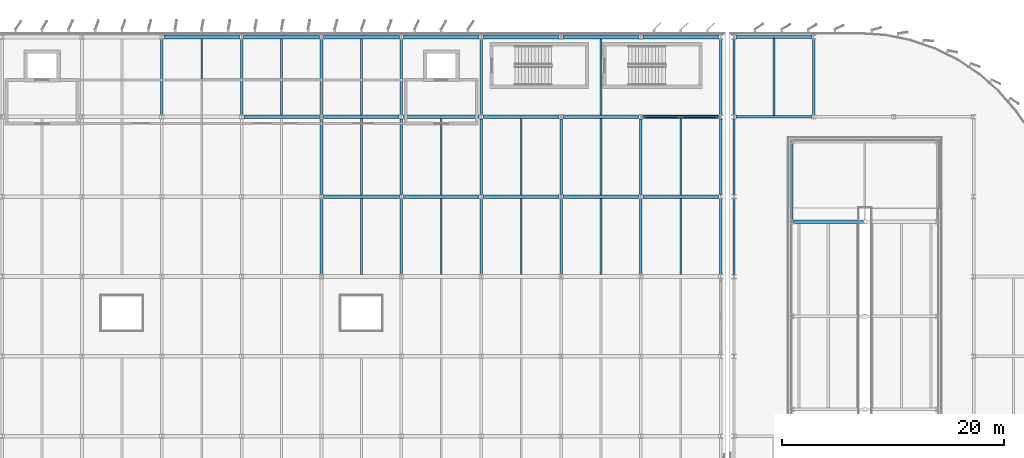
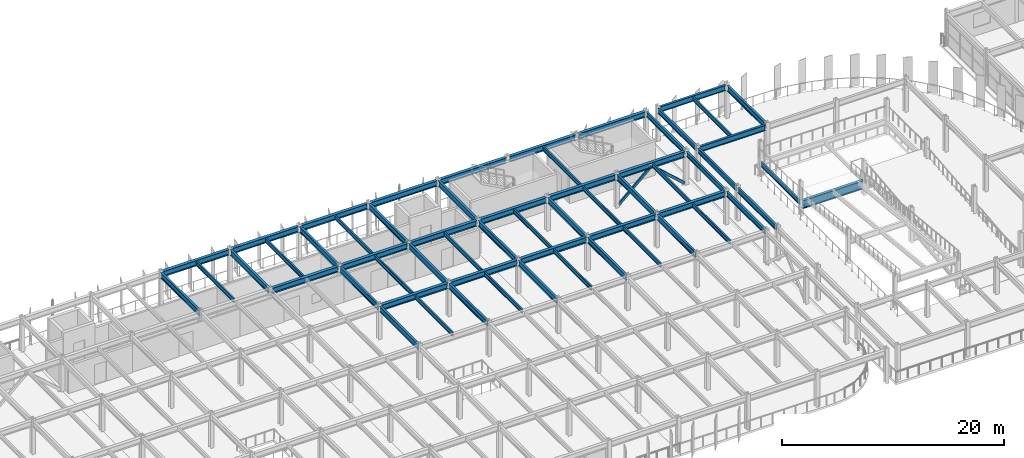
# One storey, part 22 of 80: 59 beams, 2 members.
"""IFC4 building model written with IfcOpenShell, lengths in metres."""

from ifc_helpers import new_model, si_unit, direction, frame, origin, origin_2d, place, context, subcontext, project, spatial, hollow_rectangle, i_section, extrude, material, material_profile, profile_set, type_object, element, save


model = new_model("IFC4")

# Units and contexts
model_context = context("Model", 3, precision=1e-05, world=origin(), true_north=direction((0.0, 1.0)))
body_context = subcontext(model_context, "Body", "Model", "MODEL_VIEW")
ifc_project = project(units=[si_unit("LENGTHUNIT", "METRE"), si_unit("AREAUNIT", "SQUARE_METRE"), si_unit("VOLUMEUNIT", "CUBIC_METRE"), si_unit("PLANEANGLEUNIT", "RADIAN"), si_unit("MASSUNIT", "GRAM", prefix="KILO")], contexts=[model_context])

# Site, building, storey
site_placement = place(None, origin())
site = spatial("IfcSite", under=ifc_project, at=site_placement, CompositionType="ELEMENT")
building_placement = place(site_placement, origin())
building = spatial("IfcBuilding", under=site, at=building_placement, Name="Vaelcorin Mobility Hub", CompositionType="ELEMENT")
storey_placement = place(building_placement, frame((0.0, 0.0, 9.300048828125)))
storey = spatial("IfcBuildingStorey", under=building, at=storey_placement, Name="L02", CompositionType="ELEMENT", Elevation=9.300048828125)

# Beams
ifc_material_1 = material(Name="Steel ASTM A992 Grade 50", Category="steel")
ifc_material_profile_1 = material_profile(ifc_material_1, i_section(OverallWidth=0.152099609375, OverallDepth=0.455078125, WebThickness=0.008056640625, FlangeThickness=0.01318359375, FilletRadius=0.012939453125, at=origin_2d()), Name="W18X40")
ifc_profile_set_1 = profile_set([ifc_material_profile_1], Name="Steel ASTM A992 Grade 50")
beam_type_1 = type_object("IfcBeamType", Name="BM-W18X40", PredefinedType="JOIST", material=ifc_profile_set_1)
beam_1_placement = place(storey_placement, frame((127.199951171875, 112.912109375, 3.421875), z_axis=(0.0, 1.0, 0.0), x_axis=(-1.0, 0.0, 0.0)))
element("IfcBeam", 1, at=beam_1_placement, inside=storey, type_object=beam_type_1, Name="L02 Beam V2E-L02-J-01-06-1", PredefinedType="JOIST", context=body_context, shape_type="SweptSolid", body=[
    extrude(i_section(OverallWidth=0.152099609375, OverallDepth=0.455078125, WebThickness=0.008056640625, FlangeThickness=0.01318359375, FilletRadius=0.012939453125, at=origin_2d()), origin(), (0.0, 0.0, 1.0), 6.975830078125),
])
ifc_material_profile_2 = material_profile(ifc_material_1, i_section(OverallWidth=0.154052734375, OverallDepth=0.45703125, WebThickness=0.009033203125, FlangeThickness=0.015380859375, FilletRadius=0.012939453125, at=origin_2d()), Name="W18X46")
ifc_profile_set_2 = profile_set([ifc_material_profile_2], Name="Steel ASTM A992 Grade 50")
beam_type_2 = type_object("IfcBeamType", Name="BM-W18X46", PredefinedType="JOIST", material=ifc_profile_set_2)
for number, where, z_axis, x_axis, name in (
    (2, (75.60009765625, 112.9599609375, 3.4619140625), (0.0, 1.0, 0.0), (-1.0, 0.0, 0.0), "L02 Beam V4-L02-J-06-06-1"),
    (3, (82.800048828125, 112.9599609375, 3.4619140625), (0.0, 1.0, 0.0), (-1.0, 0.0, 0.0), "L02 Beam V4-L02-J-07-06-1"),
):
    element("IfcBeam", number, at=place(storey_placement, frame(where, z_axis=z_axis, x_axis=x_axis)), inside=storey, type_object=beam_type_2, Name=name, PredefinedType="JOIST", context=body_context, shape_type="SweptSolid", body=[
        extrude(i_section(OverallWidth=0.154052734375, OverallDepth=0.45703125, WebThickness=0.009033203125, FlangeThickness=0.015380859375, FilletRadius=0.012939453125, at=origin_2d()), origin(), (0.0, 0.0, 1.0), 6.880126953125),
    ])
for number, where, z_axis, x_axis, name in (
    (4, (90.0, 98.56005859375, 3.4619140625), (0.0, 1.0, 0.0), (-1.0, 0.0, 0.0), "L02 Beam V4-L02-J-08-04-1"),
    (5, (90.0, 105.760009765625, 3.4619140625), (0.0, 1.0, 0.0), (-1.0, 0.0, 0.0), "L02 Beam V4-L02-J-08-05-1"),
):
    element("IfcBeam", number, at=place(storey_placement, frame(where, z_axis=z_axis, x_axis=x_axis)), inside=storey, type_object=beam_type_2, Name=name, PredefinedType="JOIST", context=body_context, shape_type="SweptSolid", body=[
        extrude(i_section(OverallWidth=0.154052734375, OverallDepth=0.45703125, WebThickness=0.009033203125, FlangeThickness=0.015380859375, FilletRadius=0.012939453125, at=origin_2d()), origin(), (0.0, 0.0, 1.0), 6.8798828125),
    ])
beam_2_placement = place(storey_placement, frame((90.0, 112.9599609375, 3.4619140625), z_axis=(0.0, 1.0, 0.0), x_axis=(-1.0, 0.0, 0.0)))
element("IfcBeam", 6, at=beam_2_placement, inside=storey, type_object=beam_type_2, Name="L02 Beam V4-L02-J-08-06-1", PredefinedType="JOIST", context=body_context, shape_type="SweptSolid", body=[
    extrude(i_section(OverallWidth=0.154052734375, OverallDepth=0.45703125, WebThickness=0.009033203125, FlangeThickness=0.015380859375, FilletRadius=0.012939453125, at=origin_2d()), origin(), (0.0, 0.0, 1.0), 6.880126953125),
])
for number, where, z_axis, x_axis, name in (
    (7, (97.199951171875, 98.56005859375, 3.4619140625), (0.0, 1.0, 0.0), (-1.0, 0.0, 0.0), "L02 Beam V4-L02-J-09-04-1"),
    (8, (97.199951171875, 105.760009765625, 3.4619140625), (0.0, 1.0, 0.0), (-1.0, 0.0, 0.0), "L02 Beam V4-L02-J-09-05-1"),
    (9, (104.39990234375, 98.56005859375, 3.4619140625), (0.0, 1.0, 0.0), (-1.0, 0.0, 0.0), "L02 Beam V4-L02-J-10-04-1"),
    (10, (104.39990234375, 105.760009765625, 3.4619140625), (0.0, 1.0, 0.0), (-1.0, 0.0, 0.0), "L02 Beam V4-L02-J-10-05-1"),
    (11, (111.60009765625, 98.56005859375, 3.4619140625), (0.0, 1.0, 0.0), (-1.0, 0.0, 0.0), "L02 Beam V4-L02-J-11-04-1"),
    (12, (111.60009765625, 105.760009765625, 3.4619140625), (0.0, 1.0, 0.0), (-1.0, 0.0, 0.0), "L02 Beam V4-L02-J-11-05-1"),
):
    element("IfcBeam", number, at=place(storey_placement, frame(where, z_axis=z_axis, x_axis=x_axis)), inside=storey, type_object=beam_type_2, Name=name, PredefinedType="JOIST", context=body_context, shape_type="SweptSolid", body=[
        extrude(i_section(OverallWidth=0.154052734375, OverallDepth=0.45703125, WebThickness=0.009033203125, FlangeThickness=0.015380859375, FilletRadius=0.012939453125, at=origin_2d()), origin(), (0.0, 0.0, 1.0), 6.8798828125),
    ])
beam_3_placement = place(storey_placement, frame((111.60009765625, 112.9599609375, 3.4619140625), z_axis=(0.0, 1.0, 0.0), x_axis=(-1.0, 0.0, 0.0)))
element("IfcBeam", 13, at=beam_3_placement, inside=storey, type_object=beam_type_2, Name="L02 Beam V4-L02-J-11-06-1", PredefinedType="JOIST", context=body_context, shape_type="SweptSolid", body=[
    extrude(i_section(OverallWidth=0.154052734375, OverallDepth=0.45703125, WebThickness=0.009033203125, FlangeThickness=0.015380859375, FilletRadius=0.012939453125, at=origin_2d()), origin(), (0.0, 0.0, 1.0), 6.880126953125),
])
for number, where, z_axis, x_axis, name in (
    (14, (118.800048828125, 98.56005859375, 3.4619140625), (0.0, 1.0, 0.0), (-1.0, 0.0, 0.0), "L02 Beam V4-L02-J-12-04-1"),
    (15, (118.800048828125, 105.760009765625, 3.4619140625), (0.0, 1.0, 0.0), (-1.0, 0.0, 0.0), "L02 Beam V4-L02-J-12-05-1"),
):
    element("IfcBeam", number, at=place(storey_placement, frame(where, z_axis=z_axis, x_axis=x_axis)), inside=storey, type_object=beam_type_2, Name=name, PredefinedType="JOIST", context=body_context, shape_type="SweptSolid", body=[
        extrude(i_section(OverallWidth=0.154052734375, OverallDepth=0.45703125, WebThickness=0.009033203125, FlangeThickness=0.015380859375, FilletRadius=0.012939453125, at=origin_2d()), origin(), (0.0, 0.0, 1.0), 6.8798828125),
    ])
ifc_material_profile_3 = material_profile(ifc_material_1, i_section(OverallWidth=0.166015625, OverallDepth=0.528076171875, WebThickness=0.009765625, FlangeThickness=0.013671875, FilletRadius=0.013916015625, at=origin_2d()), Name="W21X50")
ifc_profile_set_3 = profile_set([ifc_material_profile_3], Name="Steel ASTM A992 Grade 50")
beam_type_3 = type_object("IfcBeamType", Name="BM-W21X50", PredefinedType="JOIST", material=ifc_profile_set_3)
beam_4_placement = place(storey_placement, frame((128.85009765625, 103.52490234375, 1.39697265625), z_axis=(0.0, 1.0, 0.0), x_axis=(-1.0, 0.0, 0.0)))
element("IfcBeam", 16, at=beam_4_placement, inside=storey, type_object=beam_type_3, Name="Vehicle Ramp VR-2 L02 Landing West Edge Beam", PredefinedType="JOIST", context=body_context, shape_type="SweptSolid", body=[
    extrude(i_section(OverallWidth=0.166015625, OverallDepth=0.528076171875, WebThickness=0.009765625, FlangeThickness=0.013671875, FilletRadius=0.013916015625, at=origin_2d()), origin(), (0.0, 0.0, 1.0), 6.85009765625),
])
ifc_material_profile_4 = material_profile(ifc_material_1, i_section(OverallWidth=0.2099609375, OverallDepth=0.535888671875, WebThickness=0.010986328125, FlangeThickness=0.017333984375, FilletRadius=0.013916015625, at=origin_2d()), Name="W21X68")
ifc_profile_set_4 = profile_set([ifc_material_profile_4], Name="Steel ASTM A992 Grade 50")
beam_type_4 = type_object("IfcBeamType", Name="BM-W21X68", PredefinedType="SPANDREL", material=ifc_profile_set_4)
beam_5_placement = place(storey_placement, frame((122.39990234375, 98.583984375, 3.421875), z_axis=(0.0, 1.0, 0.0), x_axis=(-1.0, 0.0, 0.0)))
element("IfcBeam", 17, at=beam_5_placement, inside=storey, type_object=beam_type_4, Name="L02 Beam V4-L02-GY-13-04", PredefinedType="SPANDREL", context=body_context, shape_type="SweptSolid", body=[
    extrude(i_section(OverallWidth=0.2099609375, OverallDepth=0.535888671875, WebThickness=0.010986328125, FlangeThickness=0.017333984375, FilletRadius=0.013916015625, at=origin_2d()), origin(), (0.0, 0.0, 1.0), 6.83203125),
])
beam_6_placement = place(storey_placement, frame((122.39990234375, 105.783935546875, 3.421875), z_axis=(0.0, 1.0, 0.0), x_axis=(-1.0, 0.0, 0.0)))
element("IfcBeam", 18, at=beam_6_placement, inside=storey, type_object=beam_type_4, Name="L02 Beam V4-L02-GY-13-05", PredefinedType="SPANDREL", context=body_context, shape_type="SweptSolid", body=[
    extrude(i_section(OverallWidth=0.2099609375, OverallDepth=0.535888671875, WebThickness=0.010986328125, FlangeThickness=0.017333984375, FilletRadius=0.013916015625, at=origin_2d()), origin(), (0.0, 0.0, 1.0), 6.8271484375),
])
beam_7_placement = place(storey_placement, frame((122.39990234375, 112.988037109375, 3.421875), z_axis=(0.0, 1.0, 0.0), x_axis=(-1.0, 0.0, 0.0)))
element("IfcBeam", 19, at=beam_7_placement, inside=storey, type_object=beam_type_4, Name="L02 Beam V4-L02-GY-13-06", PredefinedType="SPANDREL", context=body_context, shape_type="SweptSolid", body=[
    extrude(i_section(OverallWidth=0.2099609375, OverallDepth=0.535888671875, WebThickness=0.010986328125, FlangeThickness=0.017333984375, FilletRadius=0.013916015625, at=origin_2d()), origin(), (0.0, 0.0, 1.0), 6.827880859375),
])
beam_8_placement = place(storey_placement, frame((123.60009765625, 98.580078125, 3.3818359375), z_axis=(0.0, 1.0, 0.0), x_axis=(-1.0, 0.0, 0.0)))
element("IfcBeam", 20, at=beam_8_placement, inside=storey, type_object=beam_type_4, Name="L02 Beam V2E-L02-GY-01-04", PredefinedType="SPANDREL", context=body_context, shape_type="SweptSolid", body=[
    extrude(i_section(OverallWidth=0.2099609375, OverallDepth=0.535888671875, WebThickness=0.010986328125, FlangeThickness=0.017333984375, FilletRadius=0.013916015625, at=origin_2d()), origin(), (0.0, 0.0, 1.0), 6.83984375),
])
for number, where, z_axis, x_axis, name in (
    (21, (123.60009765625, 105.780029296875, 3.3818359375), (0.0, 1.0, 0.0), (-1.0, 0.0, 0.0), "L02 Beam V2E-L02-GY-01-05"),
    (22, (123.60009765625, 112.97998046875, 3.3818359375), (0.0, 1.0, 0.0), (-1.0, 0.0, 0.0), "L02 Beam V2E-L02-GY-01-06"),
):
    element("IfcBeam", number, at=place(storey_placement, frame(where, z_axis=z_axis, x_axis=x_axis)), inside=storey, type_object=beam_type_4, Name=name, PredefinedType="SPANDREL", context=body_context, shape_type="SweptSolid", body=[
        extrude(i_section(OverallWidth=0.2099609375, OverallDepth=0.535888671875, WebThickness=0.010986328125, FlangeThickness=0.017333984375, FilletRadius=0.013916015625, at=origin_2d()), origin(), (0.0, 0.0, 1.0), 6.840087890625),
    ])
ifc_material_profile_5 = material_profile(ifc_material_1, i_section(OverallWidth=0.324951171875, OverallDepth=0.612060546875, WebThickness=0.0126953125, FlangeThickness=0.01904296875, FilletRadius=0.014892578125, at=origin_2d()), Name="W24X104")
ifc_profile_set_5 = profile_set([ifc_material_profile_5], Name="Steel ASTM A992 Grade 50")
beam_type_5 = type_object("IfcBeamType", Name="BM-W24X104", PredefinedType="BEAM", material=ifc_profile_set_5)
for number, where, z_axis, x_axis, name in (
    (23, (86.583984375, 105.60009765625, 3.384033203125), (1.0, 0.0, 0.0), (0.0, 1.0, 0.0), "L02 Beam V4-L02-GX-05-08"),
    (24, (93.783935546875, 105.60009765625, 3.384033203125), (1.0, 0.0, 0.0), (0.0, 1.0, 0.0), "L02 Beam V4-L02-GX-05-09"),
    (25, (100.98388671875, 105.60009765625, 3.384033203125), (1.0, 0.0, 0.0), (0.0, 1.0, 0.0), "L02 Beam V4-L02-GX-05-10"),
    (26, (108.18408203125, 105.60009765625, 3.384033203125), (1.0, 0.0, 0.0), (0.0, 1.0, 0.0), "L02 Beam V4-L02-GX-05-11"),
    (27, (115.384033203125, 105.60009765625, 3.384033203125), (1.0, 0.0, 0.0), (0.0, 1.0, 0.0), "L02 Beam V4-L02-GX-05-12"),
):
    element("IfcBeam", number, at=place(storey_placement, frame(where, z_axis=z_axis, x_axis=x_axis)), inside=storey, type_object=beam_type_5, Name=name, PredefinedType="BEAM", context=body_context, shape_type="SweptSolid", body=[
        extrude(i_section(OverallWidth=0.324951171875, OverallDepth=0.612060546875, WebThickness=0.0126953125, FlangeThickness=0.01904296875, FilletRadius=0.014892578125, at=origin_2d()), origin(), (0.0, 0.0, 1.0), 6.83203125),
    ])
for number, where, z_axis, x_axis, name in (
    (28, (79.39599609375, 112.800048828125, 3.384033203125), (1.0, 0.0, 0.0), (0.0, 1.0, 0.0), "L02 Beam V4-L02-GX-06-07"),
    (29, (86.595947265625, 112.800048828125, 3.384033203125), (1.0, 0.0, 0.0), (0.0, 1.0, 0.0), "L02 Beam V4-L02-GX-06-08"),
    (30, (93.7958984375, 112.800048828125, 3.384033203125), (1.0, 0.0, 0.0), (0.0, 1.0, 0.0), "L02 Beam V4-L02-GX-06-09"),
):
    element("IfcBeam", number, at=place(storey_placement, frame(where, z_axis=z_axis, x_axis=x_axis)), inside=storey, type_object=beam_type_5, Name=name, PredefinedType="BEAM", context=body_context, shape_type="SweptSolid", body=[
        extrude(i_section(OverallWidth=0.324951171875, OverallDepth=0.612060546875, WebThickness=0.0126953125, FlangeThickness=0.01904296875, FilletRadius=0.014892578125, at=origin_2d()), origin(), (0.0, 0.0, 1.0), 6.80810546875),
    ])
for number, where, z_axis, x_axis, name in (
    (31, (100.99609375, 112.800048828125, 3.384033203125), (1.0, 0.0, 0.0), (0.0, 1.0, 0.0), "L02 Beam V4-L02-GX-06-10"),
    (32, (108.196044921875, 112.800048828125, 3.384033203125), (1.0, 0.0, 0.0), (0.0, 1.0, 0.0), "L02 Beam V4-L02-GX-06-11"),
):
    element("IfcBeam", number, at=place(storey_placement, frame(where, z_axis=z_axis, x_axis=x_axis)), inside=storey, type_object=beam_type_5, Name=name, PredefinedType="BEAM", context=body_context, shape_type="SweptSolid", body=[
        extrude(i_section(OverallWidth=0.324951171875, OverallDepth=0.612060546875, WebThickness=0.0126953125, FlangeThickness=0.01904296875, FilletRadius=0.014892578125, at=origin_2d()), origin(), (0.0, 0.0, 1.0), 6.807861328125),
    ])
beam_9_placement = place(storey_placement, frame((115.39599609375, 112.800048828125, 3.384033203125), z_axis=(1.0, 0.0, 0.0), x_axis=(0.0, 1.0, 0.0)))
element("IfcBeam", 33, at=beam_9_placement, inside=storey, type_object=beam_type_5, Name="L02 Beam V4-L02-GX-06-12", PredefinedType="BEAM", context=body_context, shape_type="SweptSolid", body=[
    extrude(i_section(OverallWidth=0.324951171875, OverallDepth=0.612060546875, WebThickness=0.0126953125, FlangeThickness=0.01904296875, FilletRadius=0.014892578125, at=origin_2d()), origin(), (0.0, 0.0, 1.0), 6.80810546875),
])
for number, where, z_axis, x_axis, name in (
    (34, (72.18408203125, 120.0, 3.384033203125), (1.0, 0.0, 0.0), (0.0, 1.0, 0.0), "L02 Beam V4-L02-GX-07-06"),
    (35, (79.384033203125, 120.0, 3.384033203125), (1.0, 0.0, 0.0), (0.0, 1.0, 0.0), "L02 Beam V4-L02-GX-07-07"),
    (36, (86.583984375, 120.0, 3.384033203125), (1.0, 0.0, 0.0), (0.0, 1.0, 0.0), "L02 Beam V4-L02-GX-07-08"),
    (37, (93.783935546875, 120.0, 3.384033203125), (1.0, 0.0, 0.0), (0.0, 1.0, 0.0), "L02 Beam V4-L02-GX-07-09"),
    (38, (100.98388671875, 120.0, 3.384033203125), (1.0, 0.0, 0.0), (0.0, 1.0, 0.0), "L02 Beam V4-L02-GX-07-10"),
    (39, (108.18408203125, 120.0, 3.384033203125), (1.0, 0.0, 0.0), (0.0, 1.0, 0.0), "L02 Beam V4-L02-GX-07-11"),
    (40, (115.384033203125, 120.0, 3.384033203125), (1.0, 0.0, 0.0), (0.0, 1.0, 0.0), "L02 Beam V4-L02-GX-07-12"),
):
    element("IfcBeam", number, at=place(storey_placement, frame(where, z_axis=z_axis, x_axis=x_axis)), inside=storey, type_object=beam_type_5, Name=name, PredefinedType="BEAM", context=body_context, shape_type="SweptSolid", body=[
        extrude(i_section(OverallWidth=0.324951171875, OverallDepth=0.612060546875, WebThickness=0.0126953125, FlangeThickness=0.01904296875, FilletRadius=0.014892578125, at=origin_2d()), origin(), (0.0, 0.0, 1.0), 6.83203125),
    ])
ifc_material_profile_6 = material_profile(ifc_material_1, i_section(OverallWidth=0.22802734375, OverallDepth=0.60205078125, WebThickness=0.010498046875, FlangeThickness=0.014892578125, FilletRadius=0.014892578125, at=origin_2d()), Name="W24X68")
ifc_profile_set_6 = profile_set([ifc_material_profile_6], Name="Steel ASTM A992 Grade 50")
beam_type_6 = type_object("IfcBeamType", Name="BM-W24X68", PredefinedType="SPANDREL", material=ifc_profile_set_6)
beam_10_placement = place(storey_placement, frame((123.782958984375, 120.0, 3.348876953125), z_axis=(1.0, 0.0, 0.0), x_axis=(0.0, 1.0, 0.0)))
element("IfcBeam", 41, at=beam_10_placement, inside=storey, type_object=beam_type_6, Name="L02 Beam V2E-L02-GX-07-01", PredefinedType="SPANDREL", context=body_context, shape_type="SweptSolid", body=[
    extrude(i_section(OverallWidth=0.22802734375, OverallDepth=0.60205078125, WebThickness=0.010498046875, FlangeThickness=0.014892578125, FilletRadius=0.014892578125, at=origin_2d()), origin(), (0.0, 0.0, 1.0), 6.8330078125),
])
ifc_material_profile_7 = material_profile(ifc_material_1, i_section(OverallWidth=0.22900390625, OverallDepth=0.612060546875, WebThickness=0.011962890625, FlangeThickness=0.01953125, FilletRadius=0.014892578125, at=origin_2d()), Name="W24X84")
ifc_profile_set_7 = profile_set([ifc_material_profile_7], Name="Steel ASTM A992 Grade 50")
beam_type_7 = type_object("IfcBeamType", Name="BM-W24X84", PredefinedType="BEAM", material=ifc_profile_set_7)
for number, where, z_axis, x_axis, name in (
    (42, (72.0, 112.988037109375, 3.384033203125), (0.0, 1.0, 0.0), (-1.0, 0.0, 0.0), "L02 Beam V4-L02-GY-06-06"),
    (43, (79.199951171875, 112.988037109375, 3.384033203125), (0.0, 1.0, 0.0), (-1.0, 0.0, 0.0), "L02 Beam V4-L02-GY-07-06"),
):
    element("IfcBeam", number, at=place(storey_placement, frame(where, z_axis=z_axis, x_axis=x_axis)), inside=storey, type_object=beam_type_7, Name=name, PredefinedType="BEAM", context=body_context, shape_type="SweptSolid", body=[
        extrude(i_section(OverallWidth=0.22900390625, OverallDepth=0.612060546875, WebThickness=0.011962890625, FlangeThickness=0.01953125, FilletRadius=0.014892578125, at=origin_2d()), origin(), (0.0, 0.0, 1.0), 6.827880859375),
    ])
beam_11_placement = place(storey_placement, frame((86.39990234375, 98.583984375, 3.384033203125), z_axis=(0.0, 1.0, 0.0), x_axis=(-1.0, 0.0, 0.0)))
element("IfcBeam", 44, at=beam_11_placement, inside=storey, type_object=beam_type_7, Name="L02 Beam V4-L02-GY-08-04", PredefinedType="BEAM", context=body_context, shape_type="SweptSolid", body=[
    extrude(i_section(OverallWidth=0.22900390625, OverallDepth=0.612060546875, WebThickness=0.011962890625, FlangeThickness=0.01953125, FilletRadius=0.014892578125, at=origin_2d()), origin(), (0.0, 0.0, 1.0), 6.83203125),
])
beam_12_placement = place(storey_placement, frame((86.39990234375, 105.783935546875, 3.384033203125), z_axis=(0.0, 1.0, 0.0), x_axis=(-1.0, 0.0, 0.0)))
element("IfcBeam", 45, at=beam_12_placement, inside=storey, type_object=beam_type_7, Name="L02 Beam V4-L02-GY-08-05", PredefinedType="BEAM", context=body_context, shape_type="SweptSolid", body=[
    extrude(i_section(OverallWidth=0.22900390625, OverallDepth=0.612060546875, WebThickness=0.011962890625, FlangeThickness=0.01953125, FilletRadius=0.014892578125, at=origin_2d()), origin(), (0.0, 0.0, 1.0), 6.8271484375),
])
beam_13_placement = place(storey_placement, frame((86.39990234375, 112.988037109375, 3.384033203125), z_axis=(0.0, 1.0, 0.0), x_axis=(-1.0, 0.0, 0.0)))
element("IfcBeam", 46, at=beam_13_placement, inside=storey, type_object=beam_type_7, Name="L02 Beam V4-L02-GY-08-06", PredefinedType="BEAM", context=body_context, shape_type="SweptSolid", body=[
    extrude(i_section(OverallWidth=0.22900390625, OverallDepth=0.612060546875, WebThickness=0.011962890625, FlangeThickness=0.01953125, FilletRadius=0.014892578125, at=origin_2d()), origin(), (0.0, 0.0, 1.0), 6.827880859375),
])
beam_14_placement = place(storey_placement, frame((93.60009765625, 98.583984375, 3.384033203125), z_axis=(0.0, 1.0, 0.0), x_axis=(-1.0, 0.0, 0.0)))
element("IfcBeam", 47, at=beam_14_placement, inside=storey, type_object=beam_type_7, Name="L02 Beam V4-L02-GY-09-04", PredefinedType="BEAM", context=body_context, shape_type="SweptSolid", body=[
    extrude(i_section(OverallWidth=0.22900390625, OverallDepth=0.612060546875, WebThickness=0.011962890625, FlangeThickness=0.01953125, FilletRadius=0.014892578125, at=origin_2d()), origin(), (0.0, 0.0, 1.0), 6.83203125),
])
beam_15_placement = place(storey_placement, frame((93.60009765625, 105.783935546875, 3.384033203125), z_axis=(0.0, 1.0, 0.0), x_axis=(-1.0, 0.0, 0.0)))
element("IfcBeam", 48, at=beam_15_placement, inside=storey, type_object=beam_type_7, Name="L02 Beam V4-L02-GY-09-05", PredefinedType="BEAM", context=body_context, shape_type="SweptSolid", body=[
    extrude(i_section(OverallWidth=0.22900390625, OverallDepth=0.612060546875, WebThickness=0.011962890625, FlangeThickness=0.01953125, FilletRadius=0.014892578125, at=origin_2d()), origin(), (0.0, 0.0, 1.0), 6.8271484375),
])
beam_16_placement = place(storey_placement, frame((93.60009765625, 112.988037109375, 3.384033203125), z_axis=(0.0, 1.0, 0.0), x_axis=(-1.0, 0.0, 0.0)))
element("IfcBeam", 49, at=beam_16_placement, inside=storey, type_object=beam_type_7, Name="L02 Beam V4-L02-GY-09-06", PredefinedType="BEAM", context=body_context, shape_type="SweptSolid", body=[
    extrude(i_section(OverallWidth=0.22900390625, OverallDepth=0.612060546875, WebThickness=0.011962890625, FlangeThickness=0.01953125, FilletRadius=0.014892578125, at=origin_2d()), origin(), (0.0, 0.0, 1.0), 6.827880859375),
])
beam_17_placement = place(storey_placement, frame((100.800048828125, 98.583984375, 3.384033203125), z_axis=(0.0, 1.0, 0.0), x_axis=(-1.0, 0.0, 0.0)))
element("IfcBeam", 50, at=beam_17_placement, inside=storey, type_object=beam_type_7, Name="L02 Beam V4-L02-GY-10-04", PredefinedType="BEAM", context=body_context, shape_type="SweptSolid", body=[
    extrude(i_section(OverallWidth=0.22900390625, OverallDepth=0.612060546875, WebThickness=0.011962890625, FlangeThickness=0.01953125, FilletRadius=0.014892578125, at=origin_2d()), origin(), (0.0, 0.0, 1.0), 6.83203125),
])
beam_18_placement = place(storey_placement, frame((100.800048828125, 105.783935546875, 3.384033203125), z_axis=(0.0, 1.0, 0.0), x_axis=(-1.0, 0.0, 0.0)))
element("IfcBeam", 51, at=beam_18_placement, inside=storey, type_object=beam_type_7, Name="L02 Beam V4-L02-GY-10-05", PredefinedType="BEAM", context=body_context, shape_type="SweptSolid", body=[
    extrude(i_section(OverallWidth=0.22900390625, OverallDepth=0.612060546875, WebThickness=0.011962890625, FlangeThickness=0.01953125, FilletRadius=0.014892578125, at=origin_2d()), origin(), (0.0, 0.0, 1.0), 6.8271484375),
])
beam_19_placement = place(storey_placement, frame((100.800048828125, 112.988037109375, 3.384033203125), z_axis=(0.0, 1.0, 0.0), x_axis=(-1.0, 0.0, 0.0)))
element("IfcBeam", 52, at=beam_19_placement, inside=storey, type_object=beam_type_7, Name="L02 Beam V4-L02-GY-10-06", PredefinedType="BEAM", context=body_context, shape_type="SweptSolid", body=[
    extrude(i_section(OverallWidth=0.22900390625, OverallDepth=0.612060546875, WebThickness=0.011962890625, FlangeThickness=0.01953125, FilletRadius=0.014892578125, at=origin_2d()), origin(), (0.0, 0.0, 1.0), 6.827880859375),
])
beam_20_placement = place(storey_placement, frame((108.0, 98.583984375, 3.384033203125), z_axis=(0.0, 1.0, 0.0), x_axis=(-1.0, 0.0, 0.0)))
element("IfcBeam", 53, at=beam_20_placement, inside=storey, type_object=beam_type_7, Name="L02 Beam V4-L02-GY-11-04", PredefinedType="BEAM", context=body_context, shape_type="SweptSolid", body=[
    extrude(i_section(OverallWidth=0.22900390625, OverallDepth=0.612060546875, WebThickness=0.011962890625, FlangeThickness=0.01953125, FilletRadius=0.014892578125, at=origin_2d()), origin(), (0.0, 0.0, 1.0), 6.83203125),
])
beam_21_placement = place(storey_placement, frame((108.0, 105.783935546875, 3.384033203125), z_axis=(0.0, 1.0, 0.0), x_axis=(-1.0, 0.0, 0.0)))
element("IfcBeam", 54, at=beam_21_placement, inside=storey, type_object=beam_type_7, Name="L02 Beam V4-L02-GY-11-05", PredefinedType="BEAM", context=body_context, shape_type="SweptSolid", body=[
    extrude(i_section(OverallWidth=0.22900390625, OverallDepth=0.612060546875, WebThickness=0.011962890625, FlangeThickness=0.01953125, FilletRadius=0.014892578125, at=origin_2d()), origin(), (0.0, 0.0, 1.0), 6.8271484375),
])
beam_22_placement = place(storey_placement, frame((115.199951171875, 98.583984375, 3.384033203125), z_axis=(0.0, 1.0, 0.0), x_axis=(-1.0, 0.0, 0.0)))
element("IfcBeam", 55, at=beam_22_placement, inside=storey, type_object=beam_type_7, Name="L02 Beam V4-L02-GY-12-04", PredefinedType="BEAM", context=body_context, shape_type="SweptSolid", body=[
    extrude(i_section(OverallWidth=0.22900390625, OverallDepth=0.612060546875, WebThickness=0.011962890625, FlangeThickness=0.01953125, FilletRadius=0.014892578125, at=origin_2d()), origin(), (0.0, 0.0, 1.0), 6.83203125),
])
beam_23_placement = place(storey_placement, frame((115.199951171875, 105.783935546875, 3.384033203125), z_axis=(0.0, 1.0, 0.0), x_axis=(-1.0, 0.0, 0.0)))
element("IfcBeam", 56, at=beam_23_placement, inside=storey, type_object=beam_type_7, Name="L02 Beam V4-L02-GY-12-05", PredefinedType="BEAM", context=body_context, shape_type="SweptSolid", body=[
    extrude(i_section(OverallWidth=0.22900390625, OverallDepth=0.612060546875, WebThickness=0.011962890625, FlangeThickness=0.01953125, FilletRadius=0.014892578125, at=origin_2d()), origin(), (0.0, 0.0, 1.0), 6.8271484375),
])
beam_24_placement = place(storey_placement, frame((123.782958984375, 112.800048828125, 3.343994140625), z_axis=(1.0, 0.0, 0.0), x_axis=(0.0, 1.0, 0.0)))
element("IfcBeam", 57, at=beam_24_placement, inside=storey, type_object=beam_type_7, Name="L02 Beam V2E-L02-GX-06-01", PredefinedType="BEAM", context=body_context, shape_type="SweptSolid", body=[
    extrude(i_section(OverallWidth=0.22900390625, OverallDepth=0.612060546875, WebThickness=0.011962890625, FlangeThickness=0.01953125, FilletRadius=0.014892578125, at=origin_2d()), origin(), (0.0, 0.0, 1.0), 6.8330078125),
])
beam_25_placement = place(storey_placement, frame((130.800048828125, 112.97998046875, 3.343994140625), z_axis=(0.0, 1.0, 0.0), x_axis=(-1.0, 0.0, 0.0)))
element("IfcBeam", 58, at=beam_25_placement, inside=storey, type_object=beam_type_7, Name="L02 Beam V2E-L02-GY-02-06", PredefinedType="BEAM", context=body_context, shape_type="SweptSolid", body=[
    extrude(i_section(OverallWidth=0.22900390625, OverallDepth=0.612060546875, WebThickness=0.011962890625, FlangeThickness=0.01953125, FilletRadius=0.014892578125, at=origin_2d()), origin(), (0.0, 0.0, 1.0), 6.840087890625),
])
ifc_material_profile_8 = material_profile(ifc_material_1, i_section(OverallWidth=0.304931640625, OverallDepth=0.9140625, WebThickness=0.0166015625, FlangeThickness=0.02587890625, FilletRadius=0.02001953125, at=origin_2d()), Name="W36X160")
ifc_profile_set_8 = profile_set([ifc_material_profile_8], Name="Steel ASTM A992 Grade 50")
beam_type_8 = type_object("IfcBeamType", Name="BM-W36X160", PredefinedType="BEAM", material=ifc_profile_set_8)
beam_26_placement = place(storey_placement, frame((128.97998046875, 103.35009765625, 1.203857421875), z_axis=(1.0, 0.0, 0.0), x_axis=(0.0, 1.0, 0.0)))
element("IfcBeam", 59, at=beam_26_placement, inside=storey, type_object=beam_type_8, Name="Vehicle Ramp VR-2 L02 Landing Girder NW", PredefinedType="BEAM", context=body_context, shape_type="SweptSolid", body=[
    extrude(i_section(OverallWidth=0.304931640625, OverallDepth=0.9140625, WebThickness=0.0166015625, FlangeThickness=0.02587890625, FilletRadius=0.02001953125, at=origin_2d()), origin(), (0.0, 0.0, 1.0), 6.2900390625),
])

# Members
ifc_material_2 = material(Name="Steel ASTM A500 Grade C", Category="steel")
ifc_material_profile_9 = material_profile(ifc_material_2, hollow_rectangle(XDim=0.15234375, YDim=0.25390625, WallThickness=0.01171875, at=origin_2d()), Name="HSS10X6X0.500")
ifc_profile_set_9 = profile_set([ifc_material_profile_9], Name="Steel ASTM A500 Grade C")
member_type = type_object("IfcMemberType", Name="BR-SCBF-10X6", PredefinedType="BRACE", material=ifc_profile_set_9)
member_1_placement = place(storey_placement, frame((115.389892578125, 112.800048828125, 0.179931640625), z_axis=(0.74319360332, 0.0, 0.669076429106), x_axis=(0.0, 1.0, 0.0)))
element("IfcMember", 60, at=member_1_placement, inside=storey, type_object=member_type, Name="SCBF Chevron Brace V4-BX2-L02-A", PredefinedType="BRACE", context=body_context, shape_type="SweptSolid", body=[
    extrude(hollow_rectangle(XDim=0.15234375, YDim=0.25390625, WallThickness=0.01171875, at=origin_2d()), origin(), (0.0, 0.0, 1.0), 4.588623046875),
])
member_2_placement = place(storey_placement, frame((122.2099609375, 112.800048828125, 0.179931640625), z_axis=(-0.743169783144, 0.0, 0.669102887022), x_axis=(0.0, -1.0, 0.0)))
element("IfcMember", 61, at=member_2_placement, inside=storey, type_object=member_type, Name="SCBF Chevron Brace V4-BX2-L02-B", PredefinedType="BRACE", context=body_context, shape_type="SweptSolid", body=[
    extrude(hollow_rectangle(XDim=0.15234375, YDim=0.25390625, WallThickness=0.01171875, at=origin_2d()), origin(), (0.0, 0.0, 1.0), 4.58837890625),
])

save(model, "model.ifc")
